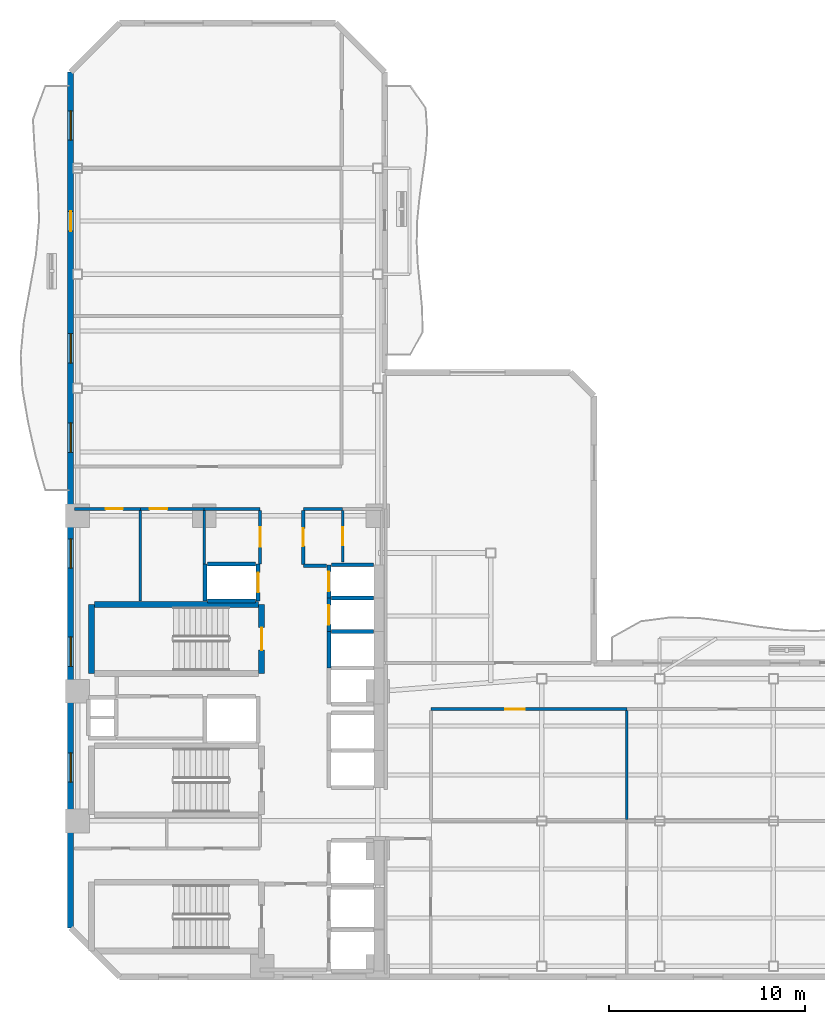
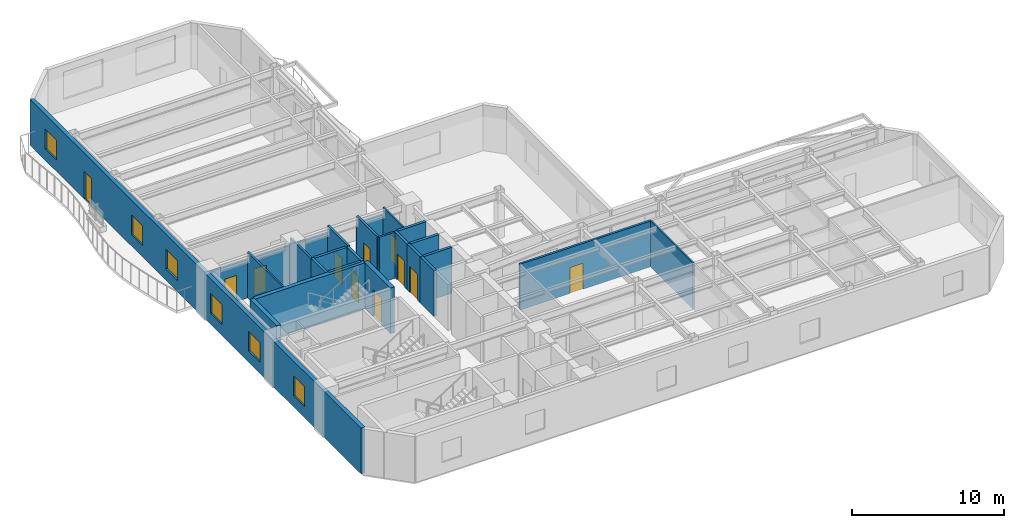
# One storey, part 4 of 9: 26 walls, 11 doors, 6 windows, 17 openings.
"""IFC4 building model written with IfcOpenShell, lengths in metres."""

from ifc_helpers import new_model, si_unit, direction, frame, frame_2d, origin, place, context, subcontext, project, spatial, rectangle, extrude, material, layer, layer_set, type_object, element, fill, save


model = new_model("IFC4")

# Units and contexts
model_context = context("Model", 3, precision=1e-05, world=origin(), true_north=direction((0.0, 1.0)))
body_context = subcontext(model_context, "Body", "Model", "MODEL_VIEW")
ifc_project = project(units=[si_unit("LENGTHUNIT", "METRE"), si_unit("AREAUNIT", "SQUARE_METRE"), si_unit("VOLUMEUNIT", "CUBIC_METRE"), si_unit("PLANEANGLEUNIT", "RADIAN"), si_unit("MASSUNIT", "GRAM", prefix="KILO")], contexts=[model_context])

# Site, building, storey
site_placement = place(None, origin())
site = spatial("IfcSite", under=ifc_project, at=site_placement, CompositionType="ELEMENT")
building_placement = place(site_placement, origin())
building = spatial("IfcBuilding", under=site, at=building_placement, Name="Mawjaban Terraces University", CompositionType="ELEMENT")
storey_placement = place(building_placement, frame((0.0, 0.0, 107.300048828125)))
storey = spatial("IfcBuildingStorey", under=building, at=storey_placement, Name="L25", CompositionType="ELEMENT", Elevation=107.300048828125)

# Wall, opening, door
ifc_material_1 = material(Name="Fire-rated gypsum board on steel stud", Category="steel")
ifc_layer_1 = layer(ifc_material_1, 0.159912109375)
ifc_layer_set_1 = layer_set([ifc_layer_1], Name="Fire-rated gypsum board on steel stud")
wall_type_1 = type_object("IfcWallType", Name="CorridorPartition_160", PredefinedType="PARTITIONING", material=ifc_layer_set_1)
wall_1_placement = place(storey_placement, frame((25.550048828125, 23.85009765625, 0.0), z_axis=(0.0, 0.0, 1.0), x_axis=(-1.0, 0.0, 0.0)))
wall_1 = element("IfcWall", 1, at=wall_1_placement, inside=storey, type_object=wall_type_1, Name="L25 Female Toilet Partition 3", PredefinedType="PARTITIONING", context=body_context, shape_type="SweptSolid", body=[
    extrude(rectangle(XDim=3.35009765625, YDim=0.159912109375, at=frame_2d((1.675048828125, 0.0))), origin(), (0.0, 0.0, 1.0), 3.072998046875),
])
opening_1_placement = place(wall_1_placement, frame((0.885009765625, 0.0, 0.0)))
opening_1 = element("IfcOpeningElement", 2, at=opening_1_placement, cuts=wall_1, Name="Opening ID-088", PredefinedType="OPENING", context=body_context, shape_type="SweptSolid", body=[
    extrude(rectangle(XDim=0.8798828125, YDim=2.10009765625, at=frame_2d((0.43994140625, 1.050048828125))), frame((0.0, 0.08984375, 0.0), z_axis=(0.0, -1.0, 0.0), x_axis=(1.0, 0.0, 0.0)), (0.0, 0.0, 1.0), 0.179931640625),
])
ifc_material_2 = material(Name="Powder-coated steel frame and solid acoustic timber leaf", Category="steel")
door_type_1 = type_object("IfcDoorType", Name="ToiletDoor_880x2100", OperationType="NOTDEFINED", PredefinedType="DOOR", material=ifc_material_2)
door_1_placement = place(opening_1_placement, origin())
door_1 = element("IfcDoor", 3, at=door_1_placement, inside=storey, type_object=door_type_1, Name="L25 Female Toilet Door", OperationType="SINGLE_SWING_LEFT", OverallHeight=2.10009765625, OverallWidth=0.8798828125, PredefinedType="DOOR", context=body_context, shape_type="SweptSolid", body=[
    extrude(rectangle(XDim=0.8798828125, YDim=2.10009765625, at=frame_2d((0.43994140625, 1.050048828125))), frame((0.0, 0.02490234375, 0.0), z_axis=(0.0, -1.0, 0.0), x_axis=(1.0, 0.0, 0.0)), (0.0, 0.0, 1.0), 0.050048828125),
])
fill(opening_1, door_1)

wall_2_placement = place(storey_placement, frame((28.800048828125, 23.85009765625, 0.0), z_axis=(0.0, 0.0, 1.0), x_axis=(-1.0, 0.0, 0.0)))
wall_2 = element("IfcWall", 4, at=wall_2_placement, inside=storey, type_object=wall_type_1, Name="L25 Staff Tea Pantry Partition 5", PredefinedType="PARTITIONING", context=body_context, shape_type="SweptSolid", body=[
    extrude(rectangle(XDim=3.25, YDim=0.159912109375, at=frame_2d((1.625, 0.0))), origin(), (0.0, 0.0, 1.0), 3.072998046875),
])
opening_2_placement = place(wall_2_placement, frame((1.875, 0.0, 0.0)))
opening_2 = element("IfcOpeningElement", 5, at=opening_2_placement, cuts=wall_2, Name="Opening ID-090", PredefinedType="OPENING", context=body_context, shape_type="SweptSolid", body=[
    extrude(rectangle(XDim=0.89990234375, YDim=2.10009765625, at=frame_2d((0.449951171875, 1.050048828125))), frame((0.0, 0.08984375, 0.0), z_axis=(0.0, -1.0, 0.0), x_axis=(1.0, 0.0, 0.0)), (0.0, 0.0, 1.0), 0.179931640625),
])
door_type_2 = type_object("IfcDoorType", Name="OfficeDoor_900x2100", OperationType="NOTDEFINED", PredefinedType="DOOR", material=ifc_material_2)
door_2_placement = place(opening_2_placement, origin())
door_2 = element("IfcDoor", 6, at=door_2_placement, inside=storey, type_object=door_type_2, Name="L25 Staff Tea Pantry Door", OperationType="SINGLE_SWING_RIGHT", OverallHeight=2.10009765625, OverallWidth=0.89990234375, PredefinedType="DOOR", context=body_context, shape_type="SweptSolid", body=[
    extrude(rectangle(XDim=0.89990234375, YDim=2.10009765625, at=frame_2d((0.449951171875, 1.050048828125))), frame((0.0, 0.02490234375, 0.0), z_axis=(0.0, -1.0, 0.0), x_axis=(1.0, 0.0, 0.0)), (0.0, 0.0, 1.0), 0.050048828125),
])
fill(opening_2, door_2)

# Walls
wall_3_placement = place(storey_placement, frame((31.64990234375, 23.85009765625, 0.0), z_axis=(0.0, 0.0, 1.0), x_axis=(-1.0, 0.0, 0.0)))
element("IfcWall", 7, at=wall_3_placement, inside=storey, type_object=wall_type_1, Name="L25 Academic Tutorial Alcove Partition 8", PredefinedType="PARTITIONING", context=body_context, shape_type="SweptSolid", body=[
    extrude(rectangle(XDim=2.849853515625, YDim=0.159912109375, at=frame_2d((1.4248046875, 0.0))), origin(), (0.0, 0.0, 1.0), 3.072998046875),
])
wall_4_placement = place(storey_placement, frame((35.02001953125, 20.949951171875, 0.0), z_axis=(0.0, 0.0, 1.0), x_axis=(-1.0, 0.0, 0.0)))
element("IfcWall", 8, at=wall_4_placement, inside=storey, type_object=wall_type_1, Name="L25 Passenger Lift Lobby Partition 10", PredefinedType="PARTITIONING", context=body_context, shape_type="SweptSolid", body=[
    extrude(rectangle(XDim=1.169921875, YDim=0.159912109375, at=frame_2d((0.5849609375, 0.0))), origin(), (0.0, 0.0, 1.0), 3.68994140625),
])
wall_5_placement = place(storey_placement, frame((35.85009765625, 23.85009765625, 0.0), z_axis=(0.0, 0.0, 1.0), x_axis=(-1.0, 0.0, 0.0)))
element("IfcWall", 9, at=wall_5_placement, inside=storey, type_object=wall_type_1, Name="L25 Departmental Resource Seminar Room Partition 14", PredefinedType="PARTITIONING", context=body_context, shape_type="SweptSolid", body=[
    extrude(rectangle(XDim=2.0, YDim=0.159912109375, at=frame_2d((1.0, 0.0))), origin(), (0.0, 0.0, 1.0), 3.072998046875),
])

# Wall, opening, door
wall_6_placement = place(storey_placement, frame((40.35009765625, 13.64990234375, 0.0), z_axis=(0.0, 0.0, 1.0), x_axis=(1.0, 0.0, 0.0)))
wall_6 = element("IfcWall", 10, at=wall_6_placement, inside=storey, type_object=wall_type_1, Name="L25 Inner Terrace Gallery Corridor East Partition 17", PredefinedType="PARTITIONING", context=body_context, shape_type="SweptSolid", body=[
    extrude(rectangle(XDim=9.97998046875, YDim=0.159912109375, at=frame_2d((4.989990234375, 0.0))), origin(), (0.0, 0.0, 1.0), 3.68994140625),
])
opening_3_placement = place(wall_6_placement, frame((3.7900390625, 0.0, 0.0)))
opening_3 = element("IfcOpeningElement", 11, at=opening_3_placement, cuts=wall_6, Name="Opening ID-100", PredefinedType="OPENING", context=body_context, shape_type="SweptSolid", body=[
    extrude(rectangle(XDim=1.0, YDim=2.10009765625, at=frame_2d((0.5, 1.050048828125))), frame((0.0, 0.08984375, 0.0), z_axis=(0.0, -1.0, 0.0), x_axis=(1.0, 0.0, 0.0)), (0.0, 0.0, 1.0), 0.179931640625),
])
door_type_3 = type_object("IfcDoorType", Name="ClassroomDoor_1000x2100", OperationType="NOTDEFINED", PredefinedType="DOOR", material=ifc_material_2)
door_3_placement = place(opening_3_placement, origin())
door_3 = element("IfcDoor", 12, at=door_3_placement, inside=storey, type_object=door_type_3, Name="L25 Classroom 3 Door", OperationType="SINGLE_SWING_LEFT", OverallHeight=2.10009765625, OverallWidth=1.0, PredefinedType="DOOR", context=body_context, shape_type="SweptSolid", body=[
    extrude(rectangle(XDim=1.0, YDim=2.10009765625, at=frame_2d((0.5, 1.050048828125))), frame((0.0, 0.02490234375, 0.0), z_axis=(0.0, -1.0, 0.0), x_axis=(1.0, 0.0, 0.0)), (0.0, 0.0, 1.0), 0.050048828125),
])
fill(opening_3, door_3)

wall_7_placement = place(storey_placement, frame((31.64990234375, 23.77490234375, 0.0), z_axis=(0.0, 0.0, 1.0), x_axis=(0.0, -1.0, 0.0)))
wall_7 = element("IfcWall", 13, at=wall_7_placement, inside=storey, type_object=wall_type_1, Name="L25 Core North Lift Lobby Partition 30", PredefinedType="PARTITIONING", context=body_context, shape_type="SweptSolid", body=[
    extrude(rectangle(XDim=2.724853515625, YDim=0.159912109375, at=frame_2d((1.3623046875, 0.0))), origin(), (0.0, 0.0, 1.0), 3.68994140625),
])
opening_4_placement = place(wall_7_placement, frame((0.862060546875, 0.0, 0.0)))
opening_4 = element("IfcOpeningElement", 14, at=opening_4_placement, cuts=wall_7, Name="Opening ID-100", PredefinedType="OPENING", context=body_context, shape_type="SweptSolid", body=[
    extrude(rectangle(XDim=1.0, YDim=2.10009765625, at=frame_2d((0.5, 1.050048828125))), frame((0.0, 0.08984375, 0.0), z_axis=(0.0, -1.0, 0.0), x_axis=(1.0, 0.0, 0.0)), (0.0, 0.0, 1.0), 0.179931640625),
])
door_4_placement = place(opening_4_placement, origin())
door_4 = element("IfcDoor", 15, at=door_4_placement, inside=storey, type_object=door_type_3, Name="L25 Academic Tutorial Alcove Door", OperationType="SINGLE_SWING_LEFT", OverallHeight=2.10009765625, OverallWidth=1.0, PredefinedType="DOOR", context=body_context, shape_type="SweptSolid", body=[
    extrude(rectangle(XDim=1.0, YDim=2.10009765625, at=frame_2d((0.5, 1.050048828125))), frame((0.0, 0.02490234375, 0.0), z_axis=(0.0, -1.0, 0.0), x_axis=(1.0, 0.0, 0.0)), (0.0, 0.0, 1.0), 0.050048828125),
])
fill(opening_4, door_4)

wall_8_placement = place(storey_placement, frame((33.85009765625, 21.02490234375, 0.0), z_axis=(0.0, 0.0, 1.0), x_axis=(0.0, 1.0, 0.0)))
wall_8 = element("IfcWall", 16, at=wall_8_placement, inside=storey, type_object=wall_type_1, Name="L25 Core North Lift Lobby Partition 31", PredefinedType="PARTITIONING", context=body_context, shape_type="SweptSolid", body=[
    extrude(rectangle(XDim=2.75, YDim=0.159912109375, at=frame_2d((1.375, 0.0))), origin(), (0.0, 0.0, 1.0), 3.68994140625),
])
opening_5_placement = place(wall_8_placement, frame((0.925048828125, 0.0, 0.0)))
opening_5 = element("IfcOpeningElement", 17, at=opening_5_placement, cuts=wall_8, Name="Opening ID-090", PredefinedType="OPENING", context=body_context, shape_type="SweptSolid", body=[
    extrude(rectangle(XDim=0.89990234375, YDim=2.10009765625, at=frame_2d((0.449951171875, 1.050048828125))), frame((0.0, 0.08984375, 0.0), z_axis=(0.0, -1.0, 0.0), x_axis=(1.0, 0.0, 0.0)), (0.0, 0.0, 1.0), 0.179931640625),
])
door_5_placement = place(opening_5_placement, origin())
door_5 = element("IfcDoor", 18, at=door_5_placement, inside=storey, type_object=door_type_2, Name="L25 Departmental Resource Seminar Room Door", OperationType="SINGLE_SWING_LEFT", OverallHeight=2.10009765625, OverallWidth=0.89990234375, PredefinedType="DOOR", context=body_context, shape_type="SweptSolid", body=[
    extrude(rectangle(XDim=0.89990234375, YDim=2.10009765625, at=frame_2d((0.449951171875, 1.050048828125))), frame((0.0, 0.02490234375, 0.0), z_axis=(0.0, -1.0, 0.0), x_axis=(1.0, 0.0, 0.0)), (0.0, 0.0, 1.0), 0.050048828125),
])
fill(opening_5, door_5)

# Wall, openings, door, windows
ifc_material_3 = material(Name="Insulated terracotta rainscreen on concrete backup C40/50", Category="masonry")
ifc_layer_2 = layer(ifc_material_3, 0.300048828125)
ifc_layer_set_2 = layer_set([ifc_layer_2], Name="Insulated terracotta rainscreen on concrete backup C40/50")
wall_type_2 = type_object("IfcWallType", Name="ExtTerracottaWall_300", PredefinedType="SOLIDWALL", material=ifc_layer_set_2)
wall_9_placement = place(storey_placement, frame((22.0, 46.10009765625, 0.0), z_axis=(0.0, 0.0, 1.0), x_axis=(0.0, -1.0, 0.0)))
wall_9 = element("IfcWall", 19, at=wall_9_placement, inside=storey, type_object=wall_type_2, Name="L25 Exterior Terracotta Wall 13", PredefinedType="SOLIDWALL", context=body_context, shape_type="SweptSolid", body=[
    extrude(rectangle(XDim=43.60009765625, YDim=0.300048828125, at=frame_2d((21.800048828125, 0.0))), origin(), (0.0, 0.0, 1.0), 3.68994140625),
])
opening_6_placement = place(wall_9_placement, frame((7.10009765625, 0.0, 0.0)))
opening_6 = element("IfcOpeningElement", 20, at=opening_6_placement, cuts=wall_9, Name="Opening BD-100", PredefinedType="OPENING", context=body_context, shape_type="SweptSolid", body=[
    extrude(rectangle(XDim=1.0, YDim=2.199951171875, at=frame_2d((0.5, 1.10009765625))), frame((0.0, 0.159912109375, 0.0), z_axis=(0.0, -1.0, 0.0), x_axis=(1.0, 0.0, 0.0)), (0.0, 0.0, 1.0), 0.320068359375),
])
opening_7_placement = place(wall_9_placement, frame((1.97509765625, 0.0, 0.89990234375)))
opening_7 = element("IfcOpeningElement", 21, at=opening_7_placement, cuts=wall_9, Name="Opening W-02", PredefinedType="OPENING", context=body_context, shape_type="SweptSolid", body=[
    extrude(rectangle(XDim=1.5, YDim=1.60009765625, at=frame_2d((0.75, 0.800048828125))), frame((0.0, 0.159912109375, 0.0), z_axis=(0.0, -1.0, 0.0), x_axis=(1.0, 0.0, 0.0)), (0.0, 0.0, 1.0), 0.320068359375),
])
opening_8_placement = place(wall_9_placement, frame((13.324951171875, 0.0, 0.89990234375)))
opening_8 = element("IfcOpeningElement", 22, at=opening_8_placement, cuts=wall_9, Name="Opening W-02", PredefinedType="OPENING", context=body_context, shape_type="SweptSolid", body=[
    extrude(rectangle(XDim=1.5, YDim=1.60009765625, at=frame_2d((0.75, 0.800048828125))), frame((0.0, 0.159912109375, 0.0), z_axis=(0.0, -1.0, 0.0), x_axis=(1.0, 0.0, 0.0)), (0.0, 0.0, 1.0), 0.320068359375),
])
opening_9_placement = place(wall_9_placement, frame((17.875, 0.0, 0.89990234375)))
opening_9 = element("IfcOpeningElement", 23, at=opening_9_placement, cuts=wall_9, Name="Opening W-02", PredefinedType="OPENING", context=body_context, shape_type="SweptSolid", body=[
    extrude(rectangle(XDim=1.5, YDim=1.60009765625, at=frame_2d((0.75, 0.800048828125))), frame((0.0, 0.159912109375, 0.0), z_axis=(0.0, -1.0, 0.0), x_axis=(1.0, 0.0, 0.0)), (0.0, 0.0, 1.0), 0.320068359375),
])
opening_10_placement = place(wall_9_placement, frame((23.77490234375, 0.0, 0.89990234375)))
opening_10 = element("IfcOpeningElement", 24, at=opening_10_placement, cuts=wall_9, Name="Opening W-02", PredefinedType="OPENING", context=body_context, shape_type="SweptSolid", body=[
    extrude(rectangle(XDim=1.5, YDim=1.60009765625, at=frame_2d((0.75, 0.800048828125))), frame((0.0, 0.159912109375, 0.0), z_axis=(0.0, -1.0, 0.0), x_axis=(1.0, 0.0, 0.0)), (0.0, 0.0, 1.0), 0.320068359375),
])
opening_11_placement = place(wall_9_placement, frame((28.77490234375, 0.0, 0.89990234375)))
opening_11 = element("IfcOpeningElement", 25, at=opening_11_placement, cuts=wall_9, Name="Opening W-02", PredefinedType="OPENING", context=body_context, shape_type="SweptSolid", body=[
    extrude(rectangle(XDim=1.5, YDim=1.60009765625, at=frame_2d((0.75, 0.800048828125))), frame((0.0, 0.159912109375, 0.0), z_axis=(0.0, -1.0, 0.0), x_axis=(1.0, 0.0, 0.0)), (0.0, 0.0, 1.0), 0.320068359375),
])
opening_12_placement = place(wall_9_placement, frame((34.675048828125, 0.0, 0.89990234375)))
opening_12 = element("IfcOpeningElement", 26, at=opening_12_placement, cuts=wall_9, Name="Opening W-02", PredefinedType="OPENING", context=body_context, shape_type="SweptSolid", body=[
    extrude(rectangle(XDim=1.5, YDim=1.60009765625, at=frame_2d((0.75, 0.800048828125))), frame((0.0, 0.159912109375, 0.0), z_axis=(0.0, -1.0, 0.0), x_axis=(1.0, 0.0, 0.0)), (0.0, 0.0, 1.0), 0.320068359375),
])
ifc_material_4 = material(Name="Thermally broken anodised aluminium and laminated safety glass", Category="aluminium")
door_type_4 = type_object("IfcDoorType", Name="BalconyGlazedDoor_1000x2200", OperationType="NOTDEFINED", PredefinedType="DOOR", material=ifc_material_4)
door_6_placement = place(opening_6_placement, origin())
door_6 = element("IfcDoor", 27, at=door_6_placement, inside=storey, type_object=door_type_4, Name="L25 Balcony Access Door west", OperationType="SINGLE_SWING_RIGHT", OverallHeight=2.199951171875, OverallWidth=1.0, PredefinedType="DOOR", context=body_context, shape_type="SweptSolid", body=[
    extrude(rectangle(XDim=1.0, YDim=2.199951171875, at=frame_2d((0.5, 1.10009765625))), frame((0.0, 0.02490234375, 0.0), z_axis=(0.0, -1.0, 0.0), x_axis=(1.0, 0.0, 0.0)), (0.0, 0.0, 1.0), 0.050048828125),
])
fill(opening_6, door_6)
ifc_material_5 = material(Name="Low-E solar-control double glazing in thermally broken aluminium frame", Category="aluminium")
window_type = type_object("IfcWindowType", Name="Win_1500x1600", PartitioningType="SINGLE_PANEL", PredefinedType="WINDOW", material=ifc_material_5)
window_1_placement = place(opening_7_placement, origin())
window_1 = element("IfcWindow", 28, at=window_1_placement, inside=storey, type_object=window_type, Name="L25 Facade Window 13.1", OverallHeight=1.60009765625, OverallWidth=1.5, PartitioningType="SINGLE_PANEL", PredefinedType="WINDOW", context=body_context, shape_type="SweptSolid", body=[
    extrude(rectangle(XDim=1.5, YDim=1.60009765625, at=frame_2d((0.75, 0.800048828125))), frame((0.0, 0.030029296875, 0.0), z_axis=(0.0, -1.0, 0.0), x_axis=(1.0, 0.0, 0.0)), (0.0, 0.0, 1.0), 0.06005859375),
])
fill(opening_7, window_1)
window_2_placement = place(opening_8_placement, origin())
window_2 = element("IfcWindow", 29, at=window_2_placement, inside=storey, type_object=window_type, Name="L25 Facade Window 13.3", OverallHeight=1.60009765625, OverallWidth=1.5, PartitioningType="SINGLE_PANEL", PredefinedType="WINDOW", context=body_context, shape_type="SweptSolid", body=[
    extrude(rectangle(XDim=1.5, YDim=1.60009765625, at=frame_2d((0.75, 0.800048828125))), frame((0.0, 0.030029296875, 0.0), z_axis=(0.0, -1.0, 0.0), x_axis=(1.0, 0.0, 0.0)), (0.0, 0.0, 1.0), 0.06005859375),
])
fill(opening_8, window_2)
window_3_placement = place(opening_9_placement, origin())
window_3 = element("IfcWindow", 30, at=window_3_placement, inside=storey, type_object=window_type, Name="L25 Facade Window 13.4", OverallHeight=1.60009765625, OverallWidth=1.5, PartitioningType="SINGLE_PANEL", PredefinedType="WINDOW", context=body_context, shape_type="SweptSolid", body=[
    extrude(rectangle(XDim=1.5, YDim=1.60009765625, at=frame_2d((0.75, 0.800048828125))), frame((0.0, 0.030029296875, 0.0), z_axis=(0.0, -1.0, 0.0), x_axis=(1.0, 0.0, 0.0)), (0.0, 0.0, 1.0), 0.06005859375),
])
fill(opening_9, window_3)
window_4_placement = place(opening_10_placement, origin())
window_4 = element("IfcWindow", 31, at=window_4_placement, inside=storey, type_object=window_type, Name="L25 Facade Window 13.5", OverallHeight=1.60009765625, OverallWidth=1.5, PartitioningType="SINGLE_PANEL", PredefinedType="WINDOW", context=body_context, shape_type="SweptSolid", body=[
    extrude(rectangle(XDim=1.5, YDim=1.60009765625, at=frame_2d((0.75, 0.800048828125))), frame((0.0, 0.030029296875, 0.0), z_axis=(0.0, -1.0, 0.0), x_axis=(1.0, 0.0, 0.0)), (0.0, 0.0, 1.0), 0.06005859375),
])
fill(opening_10, window_4)
window_5_placement = place(opening_11_placement, origin())
window_5 = element("IfcWindow", 32, at=window_5_placement, inside=storey, type_object=window_type, Name="L25 Facade Window 13.6", OverallHeight=1.60009765625, OverallWidth=1.5, PartitioningType="SINGLE_PANEL", PredefinedType="WINDOW", context=body_context, shape_type="SweptSolid", body=[
    extrude(rectangle(XDim=1.5, YDim=1.60009765625, at=frame_2d((0.75, 0.800048828125))), frame((0.0, 0.030029296875, 0.0), z_axis=(0.0, -1.0, 0.0), x_axis=(1.0, 0.0, 0.0)), (0.0, 0.0, 1.0), 0.06005859375),
])
fill(opening_11, window_5)
window_6_placement = place(opening_12_placement, origin())
window_6 = element("IfcWindow", 33, at=window_6_placement, inside=storey, type_object=window_type, Name="L25 Facade Window 13.7", OverallHeight=1.60009765625, OverallWidth=1.5, PartitioningType="SINGLE_PANEL", PredefinedType="WINDOW", context=body_context, shape_type="SweptSolid", body=[
    extrude(rectangle(XDim=1.5, YDim=1.60009765625, at=frame_2d((0.75, 0.800048828125))), frame((0.0, 0.030029296875, 0.0), z_axis=(0.0, -1.0, 0.0), x_axis=(1.0, 0.0, 0.0)), (0.0, 0.0, 1.0), 0.06005859375),
])
fill(opening_12, window_6)

# Walls
ifc_material_6 = material(Name="Concrete C40/50", Category="concrete")
ifc_layer_3 = layer(ifc_material_6, 0.199951171875)
ifc_layer_set_3 = layer_set([ifc_layer_3], Name="Concrete C40/50")
wall_type_3 = type_object("IfcWallType", Name="FireLobbyWall_200", PredefinedType="SOLIDWALL", material=ifc_layer_set_3)
wall_10_placement = place(storey_placement, frame((35.14990234375, 17.60009765625, 0.0), z_axis=(0.0, 0.0, 1.0), x_axis=(0.0, -1.0, 0.0)))
element("IfcWall", 34, at=wall_10_placement, inside=storey, type_object=wall_type_3, Name="L25 Lift OL-2 Hoistway Wall West", PredefinedType="SOLIDWALL", context=body_context, shape_type="SweptSolid", body=[
    extrude(rectangle(XDim=1.85009765625, YDim=0.199951171875, at=frame_2d((0.925048828125, 0.0))), origin(), (0.0, 0.0, 1.0), 3.68994140625),
])
wall_11_placement = place(storey_placement, frame((37.419921875, 17.60009765625, 0.0), z_axis=(0.0, 0.0, 1.0), x_axis=(-1.0, 0.0, 0.0)))
element("IfcWall", 35, at=wall_11_placement, inside=storey, type_object=wall_type_3, Name="L25 Lift OL-2 Hoistway Wall North", PredefinedType="SOLIDWALL", context=body_context, shape_type="SweptSolid", body=[
    extrude(rectangle(XDim=2.139892578125, YDim=0.199951171875, at=frame_2d((1.06982421875, 0.0))), origin(), (0.0, 0.0, 1.0), 3.68994140625),
])

# Wall, opening, door
wall_12_placement = place(storey_placement, frame((35.14990234375, 19.300048828125, 0.0), z_axis=(0.0, 0.0, 1.0), x_axis=(0.0, -1.0, 0.0)))
wall_12 = element("IfcWall", 36, at=wall_12_placement, inside=storey, type_object=wall_type_3, Name="L25 Lift PL-M1 Hoistway Wall West", PredefinedType="SOLIDWALL", context=body_context, shape_type="SweptSolid", body=[
    extrude(rectangle(XDim=1.699951171875, YDim=0.199951171875, at=frame_2d((0.85009765625, 0.0))), origin(), (0.0, 0.0, 1.0), 3.68994140625),
])
opening_13_placement = place(wall_12_placement, frame((0.35009765625, 0.0, 0.0)))
opening_13 = element("IfcOpeningElement", 37, at=opening_13_placement, cuts=wall_12, Name="Opening LD-PL-M1", PredefinedType="OPENING", context=body_context, shape_type="SweptSolid", body=[
    extrude(rectangle(XDim=1.0, YDim=2.10009765625, at=frame_2d((0.5, 1.050048828125))), frame((0.0, 0.10986328125, 0.0), z_axis=(0.0, -1.0, 0.0), x_axis=(1.0, 0.0, 0.0)), (0.0, 0.0, 1.0), 0.219970703125),
])
ifc_material_7 = material(Name="Powder-coated steel frame and fire-rated steel-faced leaf", Category="steel")
door_type_5 = type_object("IfcDoorType", Name="LiftLandingSliding_1000x2100", OperationType="NOTDEFINED", PredefinedType="DOOR", material=ifc_material_7)
door_7_placement = place(opening_13_placement, origin())
door_7 = element("IfcDoor", 38, at=door_7_placement, inside=storey, type_object=door_type_5, Name="L25 Lift PL-M1 Sliding Landing Door", OperationType="DOUBLE_DOOR_SLIDING", OverallHeight=2.10009765625, OverallWidth=1.0, PredefinedType="DOOR", context=body_context, shape_type="SweptSolid", body=[
    extrude(rectangle(XDim=1.0, YDim=2.10009765625, at=frame_2d((0.5, 1.050048828125))), frame((0.0, 0.02490234375, 0.0), z_axis=(0.0, -1.0, 0.0), x_axis=(1.0, 0.0, 0.0)), (0.0, 0.0, 1.0), 0.050048828125),
])
fill(opening_13, door_7)

# Wall
wall_13_placement = place(storey_placement, frame((37.419921875, 19.300048828125, 0.0), z_axis=(0.0, 0.0, 1.0), x_axis=(-1.0, 0.0, 0.0)))
element("IfcWall", 39, at=wall_13_placement, inside=storey, type_object=wall_type_3, Name="L25 Lift PL-M1 Hoistway Wall North", PredefinedType="SOLIDWALL", context=body_context, shape_type="SweptSolid", body=[
    extrude(rectangle(XDim=2.139892578125, YDim=0.199951171875, at=frame_2d((1.06982421875, 0.0))), origin(), (0.0, 0.0, 1.0), 3.68994140625),
])

# Wall, opening, door
wall_14_placement = place(storey_placement, frame((35.14990234375, 21.0, 0.0), z_axis=(0.0, 0.0, 1.0), x_axis=(0.0, -1.0, 0.0)))
wall_14 = element("IfcWall", 40, at=wall_14_placement, inside=storey, type_object=wall_type_3, Name="L25 Lift PL-M2 Hoistway Wall West", PredefinedType="SOLIDWALL", context=body_context, shape_type="SweptSolid", body=[
    extrude(rectangle(XDim=1.699951171875, YDim=0.199951171875, at=frame_2d((0.85009765625, 0.0))), origin(), (0.0, 0.0, 1.0), 3.68994140625),
])
opening_14_placement = place(wall_14_placement, frame((0.35009765625, 0.0, 0.0)))
opening_14 = element("IfcOpeningElement", 41, at=opening_14_placement, cuts=wall_14, Name="Opening LD-PL-M2", PredefinedType="OPENING", context=body_context, shape_type="SweptSolid", body=[
    extrude(rectangle(XDim=1.0, YDim=2.10009765625, at=frame_2d((0.5, 1.050048828125))), frame((0.0, 0.10986328125, 0.0), z_axis=(0.0, -1.0, 0.0), x_axis=(1.0, 0.0, 0.0)), (0.0, 0.0, 1.0), 0.219970703125),
])
door_8_placement = place(opening_14_placement, origin())
door_8 = element("IfcDoor", 42, at=door_8_placement, inside=storey, type_object=door_type_5, Name="L25 Lift PL-M2 Sliding Landing Door", OperationType="DOUBLE_DOOR_SLIDING", OverallHeight=2.10009765625, OverallWidth=1.0, PredefinedType="DOOR", context=body_context, shape_type="SweptSolid", body=[
    extrude(rectangle(XDim=1.0, YDim=2.10009765625, at=frame_2d((0.5, 1.050048828125))), frame((0.0, 0.02490234375, 0.0), z_axis=(0.0, -1.0, 0.0), x_axis=(1.0, 0.0, 0.0)), (0.0, 0.0, 1.0), 0.050048828125),
])
fill(opening_14, door_8)

# Walls
wall_15_placement = place(storey_placement, frame((37.419921875, 21.0, 0.0), z_axis=(0.0, 0.0, 1.0), x_axis=(-1.0, 0.0, 0.0)))
element("IfcWall", 43, at=wall_15_placement, inside=storey, type_object=wall_type_3, Name="L25 Lift PL-M2 Hoistway Wall North", PredefinedType="SOLIDWALL", context=body_context, shape_type="SweptSolid", body=[
    extrude(rectangle(XDim=2.139892578125, YDim=0.199951171875, at=frame_2d((1.06982421875, 0.0))), origin(), (0.0, 0.0, 1.0), 3.68994140625),
])
wall_16_placement = place(storey_placement, frame((28.85009765625, 21.050048828125, 0.0), z_axis=(0.0, 0.0, 1.0), x_axis=(0.0, -1.0, 0.0)))
element("IfcWall", 44, at=wall_16_placement, inside=storey, type_object=wall_type_3, Name="L25 Lift PL-M3 Hoistway Wall West", PredefinedType="SOLIDWALL", context=body_context, shape_type="SweptSolid", body=[
    extrude(rectangle(XDim=1.900146484375, YDim=0.199951171875, at=frame_2d((0.9501953125, 0.0))), origin(), (0.0, 0.0, 1.0), 3.68994140625),
])

# Wall, opening, door
wall_17_placement = place(storey_placement, frame((31.550048828125, 19.14990234375, 0.0), z_axis=(0.0, 0.0, 1.0), x_axis=(0.0, 1.0, 0.0)))
wall_17 = element("IfcWall", 45, at=wall_17_placement, inside=storey, type_object=wall_type_3, Name="L25 Lift PL-M3 Hoistway Wall East", PredefinedType="SOLIDWALL", context=body_context, shape_type="SweptSolid", body=[
    extrude(rectangle(XDim=1.900146484375, YDim=0.199951171875, at=frame_2d((0.9501953125, 0.0))), origin(), (0.0, 0.0, 1.0), 3.68994140625),
])
opening_15_placement = place(wall_17_placement, frame((0.449951171875, 0.0, 0.0)))
opening_15 = element("IfcOpeningElement", 46, at=opening_15_placement, cuts=wall_17, Name="Opening LD-PL-M3", PredefinedType="OPENING", context=body_context, shape_type="SweptSolid", body=[
    extrude(rectangle(XDim=1.0, YDim=2.10009765625, at=frame_2d((0.5, 1.050048828125))), frame((0.0, 0.10986328125, 0.0), z_axis=(0.0, -1.0, 0.0), x_axis=(1.0, 0.0, 0.0)), (0.0, 0.0, 1.0), 0.219970703125),
])
door_9_placement = place(opening_15_placement, origin())
door_9 = element("IfcDoor", 47, at=door_9_placement, inside=storey, type_object=door_type_5, Name="L25 Lift PL-M3 Sliding Landing Door", OperationType="DOUBLE_DOOR_SLIDING", OverallHeight=2.10009765625, OverallWidth=1.0, PredefinedType="DOOR", context=body_context, shape_type="SweptSolid", body=[
    extrude(rectangle(XDim=1.0, YDim=2.10009765625, at=frame_2d((0.5, 1.050048828125))), frame((0.0, 0.02490234375, 0.0), z_axis=(0.0, -1.0, 0.0), x_axis=(1.0, 0.0, 0.0)), (0.0, 0.0, 1.0), 0.050048828125),
])
fill(opening_15, door_9)

# Walls
for number, where, z_axis, x_axis, name in (
    (48, (28.97998046875, 19.14990234375, 0.0), (0.0, 0.0, 1.0), (1.0, 0.0, 0.0), "L25 Lift PL-M3 Hoistway Wall South"),
    (49, (31.419921875, 21.050048828125, 0.0), (0.0, 0.0, 1.0), (-1.0, 0.0, 0.0), "L25 Lift PL-M3 Hoistway Wall North"),
):
    element("IfcWall", number, at=place(storey_placement, frame(where, z_axis=z_axis, x_axis=x_axis)), inside=storey, type_object=wall_type_3, Name=name, PredefinedType="SOLIDWALL", context=body_context, shape_type="SweptSolid", body=[
        extrude(rectangle(XDim=2.43994140625, YDim=0.199951171875, at=frame_2d((1.219970703125, 0.0))), origin(), (0.0, 0.0, 1.0), 3.68994140625),
    ])
ifc_material_8 = material(Name="Gypsum plasterboard on steel stud", Category="steel")
ifc_layer_4 = layer(ifc_material_8, 0.125)
ifc_layer_set_4 = layer_set([ifc_layer_4], Name="Gypsum plasterboard on steel stud")
wall_type_4 = type_object("IfcWallType", Name="OfficePartition_125", PredefinedType="PARTITIONING", material=ifc_layer_set_4)
wall_18_placement = place(storey_placement, frame((28.800048828125, 23.77490234375, 0.0), z_axis=(0.0, 0.0, 1.0), x_axis=(0.0, -1.0, 0.0)))
element("IfcWall", 50, at=wall_18_placement, inside=storey, type_object=wall_type_4, Name="L25 Academic Tutorial Alcove Partition 28", PredefinedType="PARTITIONING", context=body_context, shape_type="SweptSolid", body=[
    extrude(rectangle(XDim=2.724853515625, YDim=0.125, at=frame_2d((1.3623046875, 0.0))), origin(), (0.0, 0.0, 1.0), 3.68994140625),
])

# Wall, opening, door
wall_19_placement = place(storey_placement, frame((35.85009765625, 21.1298828125, 0.0), z_axis=(0.0, 0.0, 1.0), x_axis=(0.0, 1.0, 0.0)))
wall_19 = element("IfcWall", 51, at=wall_19_placement, inside=storey, type_object=wall_type_4, Name="L25 Departmental Resource Seminar Room Partition 35", PredefinedType="PARTITIONING", context=body_context, shape_type="SweptSolid", body=[
    extrude(rectangle(XDim=2.64501953125, YDim=0.125, at=frame_2d((1.322509765625, 0.0))), origin(), (0.0, 0.0, 1.0), 3.68994140625),
])
opening_16_placement = place(wall_19_placement, frame((0.8720703125, 0.0, 0.0)))
opening_16 = element("IfcOpeningElement", 52, at=opening_16_placement, cuts=wall_19, Name="Opening ID-090", PredefinedType="OPENING", context=body_context, shape_type="SweptSolid", body=[
    extrude(rectangle(XDim=0.89990234375, YDim=2.10009765625, at=frame_2d((0.449951171875, 1.050048828125))), frame((0.0, 0.072509765625, 0.0), z_axis=(0.0, -1.0, 0.0), x_axis=(1.0, 0.0, 0.0)), (0.0, 0.0, 1.0), 0.14501953125),
])
door_10_placement = place(opening_16_placement, origin())
door_10 = element("IfcDoor", 53, at=door_10_placement, inside=storey, type_object=door_type_2, Name="L25 Faculty Archive Closet Door", OperationType="SINGLE_SWING_RIGHT", OverallHeight=2.10009765625, OverallWidth=0.89990234375, PredefinedType="DOOR", context=body_context, shape_type="SweptSolid", body=[
    extrude(rectangle(XDim=0.89990234375, YDim=2.10009765625, at=frame_2d((0.449951171875, 1.050048828125))), frame((0.0, 0.02490234375, 0.0), z_axis=(0.0, -1.0, 0.0), x_axis=(1.0, 0.0, 0.0)), (0.0, 0.0, 1.0), 0.050048828125),
])
fill(opening_16, door_10)

# Walls
wall_20_placement = place(storey_placement, frame((50.330078125, 8.01806640625, 0.0), z_axis=(0.0, 0.0, 1.0), x_axis=(0.0, 1.0, 0.0)))
element("IfcWall", 54, at=wall_20_placement, inside=storey, type_object=wall_type_4, Name="L25 Classroom 3 Partition 45", PredefinedType="PARTITIONING", context=body_context, shape_type="SweptSolid", body=[
    extrude(rectangle(XDim=5.556884765625, YDim=0.125, at=frame_2d((2.7783203125, 0.0))), origin(), (0.0, 0.0, 1.0), 3.68994140625),
])
ifc_material_9 = material(Name="Concrete C60/75", Category="concrete")
ifc_layer_5 = layer(ifc_material_9, 0.300048828125)
ifc_layer_set_5 = layer_set([ifc_layer_5], Name="Concrete C60/75")
wall_type_5 = type_object("IfcWallType", Name="StairShaftWall_300", PredefinedType="SHEAR", material=ifc_layer_set_5)
wall_21_placement = place(storey_placement, frame((31.580078125, 18.97998046875, 0.0), z_axis=(0.0, 0.0, 1.0), x_axis=(-1.0, 0.0, 0.0)))
element("IfcWall", 55, at=wall_21_placement, inside=storey, type_object=wall_type_5, Name="L25 ST-2 Stair Shaft Wall 1", PredefinedType="SHEAR", context=body_context, shape_type="SweptSolid", body=[
    extrude(rectangle(XDim=8.360107421875, YDim=0.300048828125, at=frame_2d((4.18017578125, 0.0))), origin(), (0.0, 0.0, 1.0), 3.68994140625),
])
wall_22_placement = place(storey_placement, frame((23.070068359375, 18.97998046875, 0.0), z_axis=(0.0, 0.0, 1.0), x_axis=(0.0, -1.0, 0.0)))
element("IfcWall", 56, at=wall_22_placement, inside=storey, type_object=wall_type_5, Name="L25 ST-2 Stair Shaft Wall 2", PredefinedType="SHEAR", context=body_context, shape_type="SweptSolid", body=[
    extrude(rectangle(XDim=3.510009765625, YDim=0.300048828125, at=frame_2d((1.7548828125, 0.0))), origin(), (0.0, 0.0, 1.0), 3.68994140625),
])

# Wall, opening, door
wall_23_placement = place(storey_placement, frame((31.72998046875, 15.469970703125, 0.0), z_axis=(0.0, 0.0, 1.0), x_axis=(0.0, 1.0, 0.0)))
wall_23 = element("IfcWall", 57, at=wall_23_placement, inside=storey, type_object=wall_type_5, Name="L25 ST-2 Stair Shaft Wall 4", PredefinedType="SHEAR", context=body_context, shape_type="SweptSolid", body=[
    extrude(rectangle(XDim=3.510009765625, YDim=0.300048828125, at=frame_2d((1.7548828125, 0.0))), origin(), (0.0, 0.0, 1.0), 3.68994140625),
])
opening_17_placement = place(wall_23_placement, frame((1.179931640625, 0.0, 0.0)))
opening_17 = element("IfcOpeningElement", 58, at=opening_17_placement, cuts=wall_23, Name="Opening FD-115", PredefinedType="OPENING", context=body_context, shape_type="SweptSolid", body=[
    extrude(rectangle(XDim=1.14990234375, YDim=2.14990234375, at=frame_2d((0.574951171875, 1.074951171875))), frame((0.0, 0.159912109375, 0.0), z_axis=(0.0, -1.0, 0.0), x_axis=(1.0, 0.0, 0.0)), (0.0, 0.0, 1.0), 0.320068359375),
])
door_type_6 = type_object("IfcDoorType", Name="FireStairDoor_1150x2150", OperationType="NOTDEFINED", PredefinedType="DOOR", material=ifc_material_7)
door_11_placement = place(opening_17_placement, origin())
door_11 = element("IfcDoor", 59, at=door_11_placement, inside=storey, type_object=door_type_6, Name="L25 ST-2 Pressurised Stair Fire Door", OperationType="SINGLE_SWING_RIGHT", OverallHeight=2.14990234375, OverallWidth=1.14990234375, PredefinedType="DOOR", context=body_context, shape_type="SweptSolid", body=[
    extrude(rectangle(XDim=1.14990234375, YDim=2.14990234375, at=frame_2d((0.574951171875, 1.074951171875))), frame((0.0, 0.02490234375, 0.0), z_axis=(0.0, -1.0, 0.0), x_axis=(1.0, 0.0, 0.0)), (0.0, 0.0, 1.0), 0.050048828125),
])
fill(opening_17, door_11)

# Wall
ifc_material_10 = material(Name="Cement-board wet-room partition", Category="masonry")
ifc_layer_6 = layer(ifc_material_10, 0.135009765625)
ifc_layer_set_6 = layer_set([ifc_layer_6], Name="Cement-board wet-room partition")
wall_type_6 = type_object("IfcWallType", Name="WetRoomPartition_135", PredefinedType="PARTITIONING", material=ifc_layer_set_6)
wall_24_placement = place(storey_placement, frame((25.550048828125, 19.159912109375, 0.0), z_axis=(0.0, 0.0, 1.0), x_axis=(0.0, 1.0, 0.0)))
element("IfcWall", 60, at=wall_24_placement, inside=storey, type_object=wall_type_6, Name="L25 Female Toilet Partition 26", PredefinedType="PARTITIONING", context=body_context, shape_type="SweptSolid", body=[
    extrude(rectangle(XDim=4.614990234375, YDim=0.135009765625, at=frame_2d((2.3076171875, 0.0))), origin(), (0.0, 0.0, 1.0), 3.68994140625),
])

save(model, "model.ifc")
